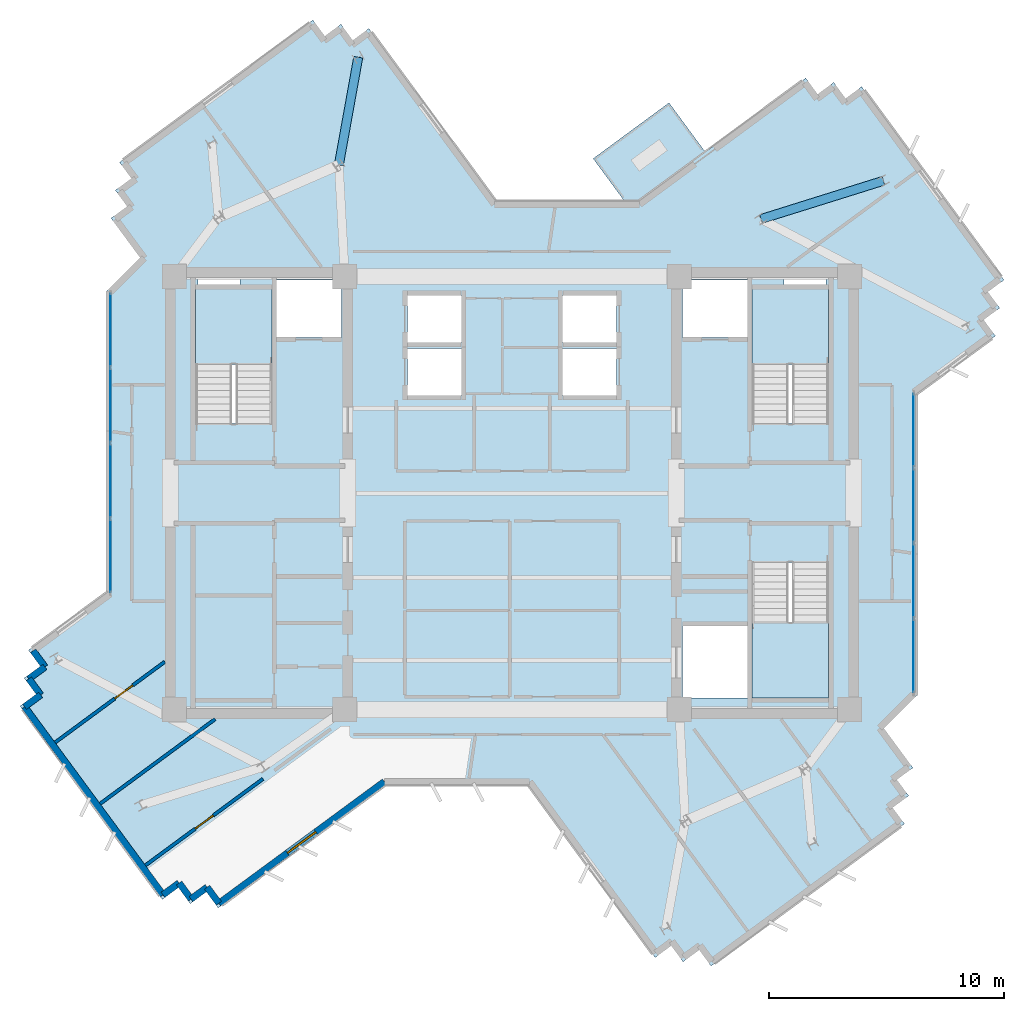
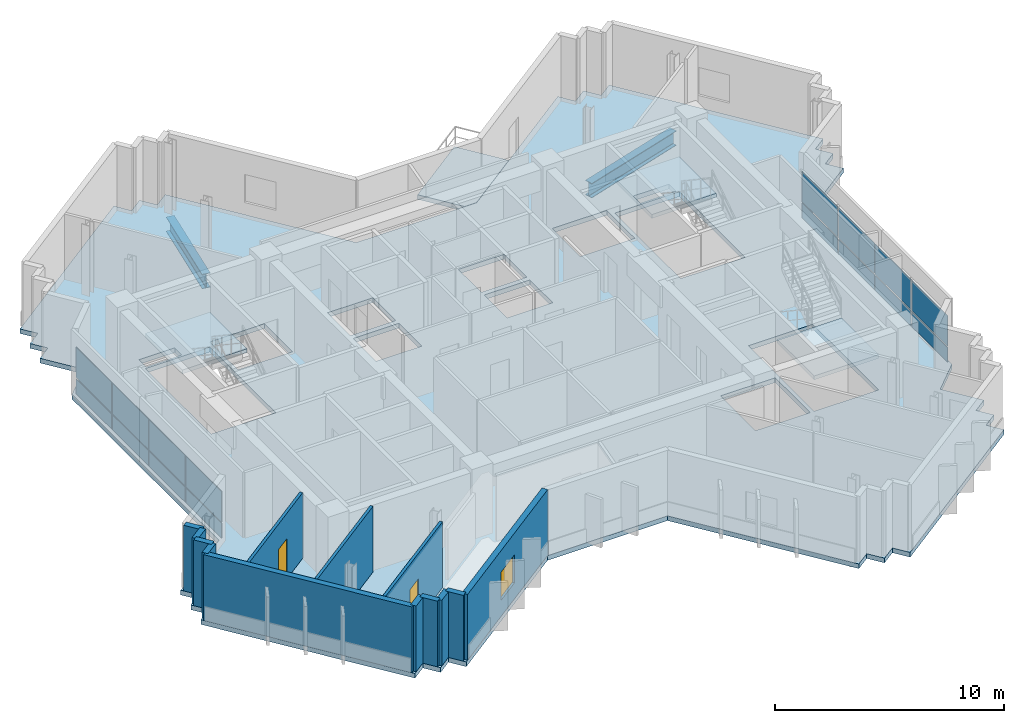
# One storey, part 5 of 13: 16 plates, 13 walls, 5 slabs, 2 beams, 2 doors, 1 window, 3 openings, 5 elements without a shape of their own.
"""IFC4 building model written with IfcOpenShell, lengths in metres."""

from ifc_helpers import new_model, si_unit, direction, frame, frame_2d, origin, origin_2d, place, context, subcontext, project, spatial, polyline, rectangle, i_section, outline, extrude, source, transform, mapped, material, layer, layer_set, material_profile, profile_set, type_object, element, fill, aggregate, save


model = new_model("IFC4")

# Units and contexts
model_context = context("Model", 3, precision=1e-05, world=origin(), true_north=direction((0.0, 1.0)))
body_context = subcontext(model_context, "Body", "Model", "MODEL_VIEW")
ifc_project = project(units=[si_unit("LENGTHUNIT", "METRE"), si_unit("AREAUNIT", "SQUARE_METRE"), si_unit("VOLUMEUNIT", "CUBIC_METRE"), si_unit("PLANEANGLEUNIT", "RADIAN"), si_unit("MASSUNIT", "GRAM", prefix="KILO")], contexts=[model_context])

# Site, building, storey
site_placement = place(None, origin())
site = spatial("IfcSite", under=ifc_project, at=site_placement, CompositionType="ELEMENT")
building_placement = place(site_placement, origin())
building = spatial("IfcBuilding", under=site, at=building_placement, Name="Zahravan Cultural Tower", CompositionType="ELEMENT")
storey_placement = place(building_placement, frame((0.0, 0.0, 272.85009765625)))
storey = spatial("IfcBuildingStorey", under=building, at=storey_placement, Name="L65", CompositionType="ELEMENT", Elevation=272.85009765625)

# Beams
ifc_material_1 = material(Name="Steel ASTM A992 Grade 50", Category="steel")
ifc_material_profile = material_profile(ifc_material_1, i_section(OverallWidth=0.382080078125, OverallDepth=0.779052734375, WebThickness=0.01806640625, FlangeThickness=0.030029296875, FilletRadius=0.01904296875, at=origin_2d()), Name="W30X191")
ifc_profile_set = profile_set([ifc_material_profile], Name="Steel ASTM A992 Grade 50")
beam_type = type_object("IfcBeamType", Name="BM-G-W30X191", PredefinedType="BEAM", material=ifc_profile_set)
shared_shape_1 = source(origin(), body_context, "Body", "SweptSolid", [
    extrude(i_section(OverallWidth=0.382080078125, OverallDepth=0.779052734375, WebThickness=0.01806640625, FlangeThickness=0.030029296875, FilletRadius=0.01904296875, at=origin_2d()), origin(), (0.0, 0.0, 1.0), 5.450927734375),
])
beam_1_placement = place(storey_placement, frame((46.577880859375, 38.640625, -0.6396484375), z_axis=(0.954416996605, 0.298476459025, 0.0), x_axis=(-0.298476459025, 0.954416996605, 0.0)))
element("IfcBeam", 1, at=beam_1_placement, inside=storey, type_object=beam_type, Name="L65 Beam BG-L65-13", PredefinedType="BEAM", context=body_context, shape_type="MappedRepresentation", body=[
    mapped(shared_shape_1, transform((0.0, 0.0, 0.0), x_axis=(1.0, 0.0, 0.0), y_axis=(0.0, 1.0, 0.0), z_axis=(0.0, 0.0, 1.0), scale=1.0)),
])
shared_shape_2 = source(origin(), body_context, "Body", "SweptSolid", [
    extrude(i_section(OverallWidth=0.382080078125, OverallDepth=0.779052734375, WebThickness=0.01806640625, FlangeThickness=0.030029296875, FilletRadius=0.01904296875, at=origin_2d()), origin(), (0.0, 0.0, 1.0), 4.65087890625),
])
beam_2_placement = place(storey_placement, frame((28.642578125, 40.937255859375, -0.6396484375), z_axis=(0.177425522697, 0.984134230629, 0.0), x_axis=(-0.984134230629, 0.177425522697, 0.0)))
element("IfcBeam", 2, at=beam_2_placement, inside=storey, type_object=beam_type, Name="L65 Beam BG-L65-14", PredefinedType="BEAM", context=body_context, shape_type="MappedRepresentation", body=[
    mapped(shared_shape_2, transform((0.0, 0.0, 0.0), x_axis=(1.0, 0.0, 0.0), y_axis=(0.0, 1.0, 0.0), z_axis=(0.0, 0.0, 1.0), scale=1.0)),
])

# Stair, slab
ifc_material_2 = material(Name="Concrete C45/55", Category="concrete")
stair_type = type_object("IfcStairType", Name="STR-DL-1550-375", PredefinedType="HALF_TURN_STAIR", material=ifc_material_2)
stair_1_placement = place(storey_placement, origin())
stair_1 = element("IfcStair", 3, at=stair_1_placement, inside=storey, type_object=stair_type, Name="L65 West Core North Exit Stair ST-W1", PredefinedType="HALF_TURN_STAIR")
ifc_layer_1 = layer(ifc_material_2, 0.199951171875)
ifc_layer_set_1 = layer_set([ifc_layer_1], Name="Concrete C45/55")
slab_type_1 = type_object("IfcSlabType", Name="SL-STAIR-LND200", PredefinedType="LANDING", material=ifc_layer_set_1)
slab_1_placement = place(storey_placement, frame((0.0, 0.0, 1.6748046875)))
slab_1 = element("IfcSlab", 4, at=slab_1_placement, type_object=slab_type_1, Name="ST-W1 landing 1", PredefinedType="LANDING", context=body_context, shape_type="SweptSolid", body=[
    extrude(outline(polyline([(25.800048828125, 32.469970703125), (25.800048828125, 35.699951171875), (22.550048828125, 35.699951171875), (22.550048828125, 32.469970703125), (25.800048828125, 32.469970703125)])), origin(), (0.0, 0.0, 1.0), 0.2001953125),
])
aggregate(stair_1, [slab_1])

stair_2_placement = place(storey_placement, origin())
stair_2 = element("IfcStair", 5, at=stair_2_placement, inside=storey, type_object=stair_type, Name="L65 East Core North Exit Stair ST-E1", PredefinedType="HALF_TURN_STAIR")
slab_2_placement = place(storey_placement, frame((0.0, 0.0, 1.6748046875)))
slab_2 = element("IfcSlab", 6, at=slab_2_placement, type_object=slab_type_1, Name="ST-E1 landing 1", PredefinedType="LANDING", context=body_context, shape_type="SweptSolid", body=[
    extrude(outline(polyline([(49.449951171875, 32.469970703125), (49.449951171875, 35.699951171875), (46.199951171875, 35.699951171875), (46.199951171875, 32.469970703125), (49.449951171875, 32.469970703125)])), origin(), (0.0, 0.0, 1.0), 0.2001953125),
])
aggregate(stair_2, [slab_2])

stair_3_placement = place(storey_placement, origin())
stair_3 = element("IfcStair", 7, at=stair_3_placement, inside=storey, type_object=stair_type, Name="L65 East Core South Exit Stair ST-E2", PredefinedType="HALF_TURN_STAIR")
slab_3_placement = place(storey_placement, frame((0.0, 0.0, 1.6748046875)))
slab_3 = element("IfcSlab", 8, at=slab_3_placement, type_object=slab_type_1, Name="ST-E2 landing 1", PredefinedType="LANDING", context=body_context, shape_type="SweptSolid", body=[
    extrude(outline(polyline([(46.199951171875, 21.530029296875), (46.199951171875, 18.300048828125), (49.449951171875, 18.300048828125), (49.449951171875, 21.530029296875), (46.199951171875, 21.530029296875)])), origin(), (0.0, 0.0, 1.0), 0.2001953125),
])
aggregate(stair_3, [slab_3])

# Slabs
ifc_material_3 = material(Name="Concrete C40/50", Category="concrete")
ifc_layer_2 = layer(ifc_material_3, 0.239990234375)
ifc_layer_set_2 = layer_set([ifc_layer_2], Name="Concrete C40/50")
slab_type_2 = type_object("IfcSlabType", Name="SL-TERR-240", PredefinedType="FLOOR", material=ifc_layer_set_2)
slab_4_placement = place(storey_placement, frame((0.0, 0.0, -0.239990234375)))
element("IfcSlab", 9, at=slab_4_placement, inside=storey, type_object=slab_type_2, Name="L65 Planted Sculpture Terrace NE", PredefinedType="FLOOR", context=body_context, shape_type="SweptSolid", body=[
    extrude(outline(polyline([(39.44921875, 41.209228515625), (40.77685546875, 39.405029296875), (41.37548828125, 39.405029296875), (44.208740234375, 41.489990234375), (42.670654296875, 43.580078125), (39.44921875, 41.209228515625)])), origin(), (0.0, 0.0, 1.0), 0.239990234375),
])
ifc_layer_3 = layer(ifc_material_3, 0.25)
ifc_layer_set_3 = layer_set([ifc_layer_3], Name="Concrete C40/50")
slab_type_3 = type_object("IfcSlabType", Name="SL-TYP-250", PredefinedType="FLOOR", material=ifc_layer_set_3)
slab_5_placement = place(storey_placement, frame((0.0, 0.0, -0.25)))
element("IfcSlab", 10, at=slab_5_placement, inside=storey, type_object=slab_type_3, Name="L65 Structural Floor Slab", PredefinedType="FLOOR", context=body_context, shape_type="SweptSolid", body=[
    extrude(outline(polyline([(41.377197265625, 39.39990234375), (35.3173828125, 39.39990234375), (29.918701171875, 46.736083984375), (29.234130859375, 46.232177734375), (28.73046875, 46.916748046875), (28.0458984375, 46.4130859375), (27.5419921875, 47.09765625), (19.326904296875, 41.052001953125), (19.83056640625, 40.3671875), (19.14599609375, 39.863525390625), (19.64990234375, 39.178955078125), (18.965087890625, 38.675048828125), (20.19873046875, 36.998779296875), (18.800048828125, 35.60009765625), (18.800048828125, 22.78515625), (15.45849609375, 20.326171875), (15.96240234375, 19.6416015625), (15.27783203125, 19.1376953125), (15.781494140625, 18.453125), (15.096923828125, 17.94921875), (21.142578125, 9.734130859375), (21.827392578125, 10.23779296875), (22.3310546875, 9.55322265625), (23.015625, 10.05712890625), (23.51953125, 9.37255859375), (30.622802734375, 14.60009765625), (36.6826171875, 14.60009765625), (42.081298828125, 7.263916015625), (42.765869140625, 7.767822265625), (43.26953125, 7.083251953125), (43.9541015625, 7.5869140625), (44.4580078125, 6.90234375), (52.673095703125, 12.947998046875), (52.16943359375, 13.6328125), (52.85400390625, 14.136474609375), (52.35009765625, 14.821044921875), (53.034912109375, 15.324951171875), (51.80126953125, 17.001220703125), (53.199951171875, 18.39990234375), (53.199951171875, 31.21484375), (56.54150390625, 33.673828125), (56.03759765625, 34.3583984375), (56.72216796875, 34.8623046875), (56.218505859375, 35.546875), (56.903076171875, 36.05078125), (50.857421875, 44.265869140625), (50.172607421875, 43.76220703125), (49.6689453125, 44.44677734375), (48.984375, 43.94287109375), (48.48046875, 44.62744140625), (41.377197265625, 39.39990234375)]), holes=[polyline([(22.550048828125, 29.949951171875), (22.550048828125, 35.699951171875), (25.800048828125, 35.699951171875), (25.800048828125, 29.949951171875), (22.550048828125, 29.949951171875)]), polyline([(46.199951171875, 29.949951171875), (46.199951171875, 35.699951171875), (49.449951171875, 35.699951171875), (49.449951171875, 29.949951171875), (46.199951171875, 29.949951171875)]), polyline([(46.199951171875, 18.300048828125), (46.199951171875, 24.050048828125), (49.449951171875, 24.050048828125), (49.449951171875, 18.300048828125), (46.199951171875, 18.300048828125)]), polyline([(26.0, 33.60009765625), (26.0, 36.050048828125), (28.75, 36.050048828125), (28.75, 33.60009765625), (26.0, 33.60009765625)]), polyline([(43.25, 33.60009765625), (43.25, 36.050048828125), (46.0, 36.050048828125), (46.0, 33.60009765625), (43.25, 33.60009765625)]), polyline([(43.25, 18.300048828125), (43.25, 21.35009765625), (46.0, 21.35009765625), (46.0, 18.300048828125), (43.25, 18.300048828125)]), polyline([(31.550048828125, 33.39990234375), (31.550048828125, 35.39990234375), (33.85009765625, 35.39990234375), (33.85009765625, 33.39990234375), (31.550048828125, 33.39990234375)]), polyline([(31.550048828125, 31.14990234375), (31.550048828125, 33.14990234375), (33.85009765625, 33.14990234375), (33.85009765625, 31.14990234375), (31.550048828125, 31.14990234375)]), polyline([(38.14990234375, 33.39990234375), (38.14990234375, 35.39990234375), (40.449951171875, 35.39990234375), (40.449951171875, 33.39990234375), (38.14990234375, 33.39990234375)]), polyline([(38.14990234375, 31.14990234375), (38.14990234375, 33.14990234375), (40.449951171875, 33.14990234375), (40.449951171875, 31.14990234375), (38.14990234375, 31.14990234375)]), polyline([(22.64990234375, 35.800048828125), (22.64990234375, 36.419921875), (24.449951171875, 36.419921875), (24.449951171875, 35.800048828125), (22.64990234375, 35.800048828125)]), polyline([(47.550048828125, 35.800048828125), (47.550048828125, 36.419921875), (49.35009765625, 36.419921875), (49.35009765625, 35.800048828125), (47.550048828125, 35.800048828125)])]), origin(), (0.0, 0.0, 1.0), 0.25),
])

# Curtain wall, plates
ifc_material_4 = material(Name="Anodised bronze-aluminium mullion", Category="aluminium")
ifc_layer_4 = layer(ifc_material_4, 0.199951171875)
ifc_layer_set_4 = layer_set([ifc_layer_4], Name="Anodised bronze-aluminium mullion")
curtain_wall_type_1 = type_object("IfcCurtainWallType", Name="CW-SYS-2", PredefinedType="USERDEFINED", material=ifc_layer_set_4)
curtain_wall_1_placement = place(storey_placement, origin())
curtain_wall_1 = element("IfcCurtainWall", 11, at=curtain_wall_1_placement, inside=storey, type_object=curtain_wall_type_1, Name="L65 Recessed Curtain Wall CW-2.1", ObjectType="RECESSED GLAZING", PredefinedType="USERDEFINED")
ifc_material_5 = material(Name="Low-E solar-control double glazing", Category="glass")
ifc_layer_5 = layer(ifc_material_5, 0.030029296875)
ifc_layer_set_5 = layer_set([ifc_layer_5], Name="Low-E solar-control double glazing")
plate_type_1 = type_object("IfcPlateType", Name="CWP-CW-2", PredefinedType="CURTAIN_PANEL", material=ifc_layer_set_5)
shared_shape_3 = source(origin(), body_context, "Body", "SweptSolid", [
    extrude(rectangle(XDim=3.094482421875, YDim=0.030029296875, at=origin_2d()), origin(), (0.0, 0.0, 1.0), 0.78759765625),
])
plate_1_placement = place(storey_placement, frame((53.06005859375, 29.66357421875, 0.074951171875), z_axis=(0.0, 0.0, 1.0), x_axis=(0.0, -1.0, 0.0)))
plate_1 = element("IfcPlate", 12, at=plate_1_placement, type_object=plate_type_1, Name="CW-2 panel 1.1", PredefinedType="CURTAIN_PANEL", context=body_context, shape_type="MappedRepresentation", body=[
    mapped(shared_shape_3, transform((0.0, 0.0, 0.0), x_axis=(1.0, 0.0, 0.0), y_axis=(0.0, 1.0, 0.0), z_axis=(0.0, 0.0, 1.0), scale=1.0)),
])
plate_2_placement = place(storey_placement, frame((53.06005859375, 20.080322265625, 0.074951171875), z_axis=(0.0, 0.0, 1.0), x_axis=(0.0, -1.0, 0.0)))
plate_2 = element("IfcPlate", 13, at=plate_2_placement, type_object=plate_type_1, Name="CW-2 panel 4.1", PredefinedType="CURTAIN_PANEL", context=body_context, shape_type="MappedRepresentation", body=[
    mapped(shared_shape_3, transform((0.0, 0.0, 0.0), x_axis=(1.0, 0.0, 0.0), y_axis=(0.0, 1.0, 0.0), z_axis=(0.0, 0.0, 1.0), scale=1.0)),
])
shared_shape_4 = source(origin(), body_context, "Body", "SweptSolid", [
    extrude(rectangle(XDim=3.094482421875, YDim=0.030029296875, at=origin_2d()), origin(), (0.0, 0.0, 1.0), 1.607421875),
])
plate_3_placement = place(storey_placement, frame((53.06005859375, 29.66357421875, 0.9375), z_axis=(0.0, 0.0, 1.0), x_axis=(0.0, -1.0, 0.0)))
plate_3 = element("IfcPlate", 14, at=plate_3_placement, type_object=plate_type_1, Name="CW-2 panel 1.2", PredefinedType="CURTAIN_PANEL", context=body_context, shape_type="MappedRepresentation", body=[
    mapped(shared_shape_4, transform((0.0, 0.0, 0.0), x_axis=(1.0, 0.0, 0.0), y_axis=(0.0, 1.0, 0.0), z_axis=(0.0, 0.0, 1.0), scale=1.0)),
])
plate_4_placement = place(storey_placement, frame((53.06005859375, 20.080322265625, 0.9375), z_axis=(0.0, 0.0, 1.0), x_axis=(0.0, -1.0, 0.0)))
plate_4 = element("IfcPlate", 15, at=plate_4_placement, type_object=plate_type_1, Name="CW-2 panel 4.2", PredefinedType="CURTAIN_PANEL", context=body_context, shape_type="MappedRepresentation", body=[
    mapped(shared_shape_4, transform((0.0, 0.0, 0.0), x_axis=(1.0, 0.0, 0.0), y_axis=(0.0, 1.0, 0.0), z_axis=(0.0, 0.0, 1.0), scale=1.0)),
])
shared_shape_5 = source(origin(), body_context, "Body", "SweptSolid", [
    extrude(rectangle(XDim=3.1318359375, YDim=0.030029296875, at=origin_2d()), origin(), (0.0, 0.0, 1.0), 0.78759765625),
])
plate_5_placement = place(storey_placement, frame((53.06005859375, 26.475341796875, 0.074951171875), z_axis=(0.0, 0.0, 1.0), x_axis=(0.0, -1.0, 0.0)))
plate_5 = element("IfcPlate", 16, at=plate_5_placement, type_object=plate_type_1, Name="CW-2 panel 2.1", PredefinedType="CURTAIN_PANEL", context=body_context, shape_type="MappedRepresentation", body=[
    mapped(shared_shape_5, transform((0.0, 0.0, 0.0), x_axis=(1.0, 0.0, 0.0), y_axis=(0.0, 1.0, 0.0), z_axis=(0.0, 0.0, 1.0), scale=1.0)),
])
plate_6_placement = place(storey_placement, frame((53.06005859375, 23.268310546875, 0.074951171875), z_axis=(0.0, 0.0, 1.0), x_axis=(0.0, -1.0, 0.0)))
plate_6 = element("IfcPlate", 17, at=plate_6_placement, type_object=plate_type_1, Name="CW-2 panel 3.1", PredefinedType="CURTAIN_PANEL", context=body_context, shape_type="MappedRepresentation", body=[
    mapped(shared_shape_5, transform((0.0, 0.0, 0.0), x_axis=(1.0, 0.0, 0.0), y_axis=(0.0, 1.0, 0.0), z_axis=(0.0, 0.0, 1.0), scale=1.0)),
])
shared_shape_6 = source(origin(), body_context, "Body", "SweptSolid", [
    extrude(rectangle(XDim=3.1318359375, YDim=0.030029296875, at=origin_2d()), origin(), (0.0, 0.0, 1.0), 1.607421875),
])
plate_7_placement = place(storey_placement, frame((53.06005859375, 26.475341796875, 0.9375), z_axis=(0.0, 0.0, 1.0), x_axis=(0.0, -1.0, 0.0)))
plate_7 = element("IfcPlate", 18, at=plate_7_placement, type_object=plate_type_1, Name="CW-2 panel 2.2", PredefinedType="CURTAIN_PANEL", context=body_context, shape_type="MappedRepresentation", body=[
    mapped(shared_shape_6, transform((0.0, 0.0, 0.0), x_axis=(1.0, 0.0, 0.0), y_axis=(0.0, 1.0, 0.0), z_axis=(0.0, 0.0, 1.0), scale=1.0)),
])
plate_8_placement = place(storey_placement, frame((53.06005859375, 23.268310546875, 0.9375), z_axis=(0.0, 0.0, 1.0), x_axis=(0.0, -1.0, 0.0)))
plate_8 = element("IfcPlate", 19, at=plate_8_placement, type_object=plate_type_1, Name="CW-2 panel 3.2", PredefinedType="CURTAIN_PANEL", context=body_context, shape_type="MappedRepresentation", body=[
    mapped(shared_shape_6, transform((0.0, 0.0, 0.0), x_axis=(1.0, 0.0, 0.0), y_axis=(0.0, 1.0, 0.0), z_axis=(0.0, 0.0, 1.0), scale=1.0)),
])
aggregate(curtain_wall_1, [plate_1, plate_3, plate_5, plate_7, plate_6, plate_8, plate_2, plate_4])

ifc_layer_6 = layer(ifc_material_4, 0.179931640625)
ifc_layer_set_6 = layer_set([ifc_layer_6], Name="Anodised bronze-aluminium mullion")
curtain_wall_type_2 = type_object("IfcCurtainWallType", Name="CW-SYS-3", PredefinedType="USERDEFINED", material=ifc_layer_set_6)
curtain_wall_2_placement = place(storey_placement, origin())
curtain_wall_2 = element("IfcCurtainWall", 20, at=curtain_wall_2_placement, inside=storey, type_object=curtain_wall_type_2, Name="L65 Recessed Curtain Wall CW-3.2", ObjectType="RECESSED GLAZING", PredefinedType="USERDEFINED")
ifc_layer_7 = layer(ifc_material_5, 0.028076171875)
ifc_layer_set_7 = layer_set([ifc_layer_7], Name="Low-E solar-control double glazing")
plate_type_2 = type_object("IfcPlateType", Name="CWP-CW-3", PredefinedType="CURTAIN_PANEL", material=ifc_layer_set_7)
shared_shape_7 = source(origin(), body_context, "Body", "SweptSolid", [
    extrude(rectangle(XDim=3.101806640625, YDim=0.028076171875, at=origin_2d()), origin(), (0.0, 0.0, 1.0), 0.794921875),
])
plate_9_placement = place(storey_placement, frame((18.93994140625, 24.335205078125, 0.06982421875), z_axis=(0.0, 0.0, 1.0), x_axis=(0.0, 1.0, 0.0)))
plate_9 = element("IfcPlate", 21, at=plate_9_placement, type_object=plate_type_2, Name="CW-3 panel 1.1", PredefinedType="CURTAIN_PANEL", context=body_context, shape_type="MappedRepresentation", body=[
    mapped(shared_shape_7, transform((0.0, 0.0, 0.0), x_axis=(1.0, 0.0, 0.0), y_axis=(0.0, 1.0, 0.0), z_axis=(0.0, 0.0, 1.0), scale=1.0)),
])
plate_10_placement = place(storey_placement, frame((18.93994140625, 33.921142578125, 0.06982421875), z_axis=(0.0, 0.0, 1.0), x_axis=(0.0, 1.0, 0.0)))
plate_10 = element("IfcPlate", 22, at=plate_10_placement, type_object=plate_type_2, Name="CW-3 panel 4.1", PredefinedType="CURTAIN_PANEL", context=body_context, shape_type="MappedRepresentation", body=[
    mapped(shared_shape_7, transform((0.0, 0.0, 0.0), x_axis=(1.0, 0.0, 0.0), y_axis=(0.0, 1.0, 0.0), z_axis=(0.0, 0.0, 1.0), scale=1.0)),
])
shared_shape_8 = source(origin(), body_context, "Body", "SweptSolid", [
    extrude(rectangle(XDim=3.101806640625, YDim=0.028076171875, at=origin_2d()), origin(), (0.0, 0.0, 1.0), 1.614990234375),
])
plate_11_placement = place(storey_placement, frame((18.93994140625, 24.335205078125, 0.93505859375), z_axis=(0.0, 0.0, 1.0), x_axis=(0.0, 1.0, 0.0)))
plate_11 = element("IfcPlate", 23, at=plate_11_placement, type_object=plate_type_2, Name="CW-3 panel 1.2", PredefinedType="CURTAIN_PANEL", context=body_context, shape_type="MappedRepresentation", body=[
    mapped(shared_shape_8, transform((0.0, 0.0, 0.0), x_axis=(1.0, 0.0, 0.0), y_axis=(0.0, 1.0, 0.0), z_axis=(0.0, 0.0, 1.0), scale=1.0)),
])
plate_12_placement = place(storey_placement, frame((18.93994140625, 33.921142578125, 0.93505859375), z_axis=(0.0, 0.0, 1.0), x_axis=(0.0, 1.0, 0.0)))
plate_12 = element("IfcPlate", 24, at=plate_12_placement, type_object=plate_type_2, Name="CW-3 panel 4.2", PredefinedType="CURTAIN_PANEL", context=body_context, shape_type="MappedRepresentation", body=[
    mapped(shared_shape_8, transform((0.0, 0.0, 0.0), x_axis=(1.0, 0.0, 0.0), y_axis=(0.0, 1.0, 0.0), z_axis=(0.0, 0.0, 1.0), scale=1.0)),
])
shared_shape_9 = source(origin(), body_context, "Body", "SweptSolid", [
    extrude(rectangle(XDim=3.136962890625, YDim=0.028076171875, at=origin_2d()), origin(), (0.0, 0.0, 1.0), 0.794921875),
])
plate_13_placement = place(storey_placement, frame((18.93994140625, 27.524658203125, 0.06982421875), z_axis=(0.0, 0.0, 1.0), x_axis=(0.0, 1.0, 0.0)))
plate_13 = element("IfcPlate", 25, at=plate_13_placement, type_object=plate_type_2, Name="CW-3 panel 2.1", PredefinedType="CURTAIN_PANEL", context=body_context, shape_type="MappedRepresentation", body=[
    mapped(shared_shape_9, transform((0.0, 0.0, 0.0), x_axis=(1.0, 0.0, 0.0), y_axis=(0.0, 1.0, 0.0), z_axis=(0.0, 0.0, 1.0), scale=1.0)),
])
plate_14_placement = place(storey_placement, frame((18.93994140625, 30.731689453125, 0.06982421875), z_axis=(0.0, 0.0, 1.0), x_axis=(0.0, 1.0, 0.0)))
plate_14 = element("IfcPlate", 26, at=plate_14_placement, type_object=plate_type_2, Name="CW-3 panel 3.1", PredefinedType="CURTAIN_PANEL", context=body_context, shape_type="MappedRepresentation", body=[
    mapped(shared_shape_9, transform((0.0, 0.0, 0.0), x_axis=(1.0, 0.0, 0.0), y_axis=(0.0, 1.0, 0.0), z_axis=(0.0, 0.0, 1.0), scale=1.0)),
])
shared_shape_10 = source(origin(), body_context, "Body", "SweptSolid", [
    extrude(rectangle(XDim=3.136962890625, YDim=0.028076171875, at=origin_2d()), origin(), (0.0, 0.0, 1.0), 1.614990234375),
])
plate_15_placement = place(storey_placement, frame((18.93994140625, 27.524658203125, 0.93505859375), z_axis=(0.0, 0.0, 1.0), x_axis=(0.0, 1.0, 0.0)))
plate_15 = element("IfcPlate", 27, at=plate_15_placement, type_object=plate_type_2, Name="CW-3 panel 2.2", PredefinedType="CURTAIN_PANEL", context=body_context, shape_type="MappedRepresentation", body=[
    mapped(shared_shape_10, transform((0.0, 0.0, 0.0), x_axis=(1.0, 0.0, 0.0), y_axis=(0.0, 1.0, 0.0), z_axis=(0.0, 0.0, 1.0), scale=1.0)),
])
plate_16_placement = place(storey_placement, frame((18.93994140625, 30.731689453125, 0.93505859375), z_axis=(0.0, 0.0, 1.0), x_axis=(0.0, 1.0, 0.0)))
plate_16 = element("IfcPlate", 28, at=plate_16_placement, type_object=plate_type_2, Name="CW-3 panel 3.2", PredefinedType="CURTAIN_PANEL", context=body_context, shape_type="MappedRepresentation", body=[
    mapped(shared_shape_10, transform((0.0, 0.0, 0.0), x_axis=(1.0, 0.0, 0.0), y_axis=(0.0, 1.0, 0.0), z_axis=(0.0, 0.0, 1.0), scale=1.0)),
])
aggregate(curtain_wall_2, [plate_9, plate_11, plate_13, plate_15, plate_14, plate_16, plate_10, plate_12])

# Wall, opening, window
ifc_material_6 = material(Name="Precast concrete C40/50", Category="concrete")
ifc_layer_8 = layer(ifc_material_6, 0.280029296875)
ifc_layer_set_8 = layer_set([ifc_layer_8], Name="Precast concrete C40/50")
wall_type_1 = type_object("IfcWallType", Name="EW-TC-280", PredefinedType="SOLIDWALL", material=ifc_layer_set_8)
wall_1_placement = place(storey_placement, frame((30.576904296875, 14.739990234375, 0.0), z_axis=(0.0, 0.0, 1.0), x_axis=(-0.805403112922, -0.592727446383, 0.0)))
wall_1 = element("IfcWall", 29, at=wall_1_placement, inside=storey, type_object=wall_type_1, Name="L65 Exterior Masonry Frame Wall 25", PredefinedType="SOLIDWALL", context=body_context, shape_type="SweptSolid", body=[
    extrude(rectangle(XDim=8.7255859375, YDim=0.280029296875, at=frame_2d((4.36279296875, 0.0))), origin(), (0.0, 0.0, 1.0), 3.5),
])
opening_1_placement = place(wall_1_placement, frame((3.613037109375, 0.0, 0.85009765625)))
opening_1 = element("IfcOpeningElement", 30, at=opening_1_placement, cuts=wall_1, Name="Opening WN-03", PredefinedType="OPENING", context=body_context, shape_type="SweptSolid", body=[
    extrude(rectangle(XDim=1.5, YDim=1.5, at=frame_2d((0.75, 0.75))), frame((0.0, 0.14990234375, 0.0), z_axis=(0.0, -1.0, 0.0), x_axis=(1.0, 0.0, 0.0)), (0.0, 0.0, 1.0), 0.300048828125),
])
window_type = type_object("IfcWindowType", Name="WN-REC-1500X1500", PartitioningType="SINGLE_PANEL", PredefinedType="WINDOW", material=ifc_material_5)
shared_shape_11 = source(origin(), body_context, "Body", "SweptSolid", [
    extrude(rectangle(XDim=1.5, YDim=1.5, at=frame_2d((0.75, 0.75))), frame((0.0, 0.030029296875, 0.0), z_axis=(0.0, -1.0, 0.0), x_axis=(1.0, 0.0, 0.0)), (0.0, 0.0, 1.0), 0.06005859375),
])
window_placement = place(opening_1_placement, origin())
window = element("IfcWindow", 31, at=window_placement, inside=storey, type_object=window_type, Name="L65 Recessed Solar Window 04", OverallHeight=1.5, OverallWidth=1.5, PartitioningType="SINGLE_PANEL", PredefinedType="WINDOW", context=body_context, shape_type="MappedRepresentation", body=[
    mapped(shared_shape_11, transform((0.0, 0.0, 0.0), x_axis=(1.0, 0.0, 0.0), y_axis=(0.0, 1.0, 0.0), z_axis=(0.0, 0.0, 1.0), scale=1.0)),
])
fill(opening_1, window)

# Wall, opening, door
ifc_material_7 = material(Name="Gypsum plasterboard partition")
ifc_layer_9 = layer(ifc_material_7, 0.139892578125)
ifc_layer_set_9 = layer_set([ifc_layer_9], Name="Gypsum plasterboard partition")
wall_type_2 = type_object("IfcWallType", Name="W-PART-140", PredefinedType="PARTITIONING", material=ifc_layer_set_9)
wall_2_placement = place(storey_placement, frame((16.589111328125, 16.402587890625, 0.0), z_axis=(0.0, 0.0, 1.0), x_axis=(0.80540492624, 0.592724982423, 0.0)))
wall_2 = element("IfcWall", 32, at=wall_2_placement, inside=storey, type_object=wall_type_2, Name="L65 Interior Wall 071", PredefinedType="PARTITIONING", context=body_context, shape_type="SweptSolid", body=[
    extrude(rectangle(XDim=5.781005859375, YDim=0.139892578125, at=frame_2d((2.890625, 0.0))), origin(), (0.0, 0.0, 1.0), 3.5),
])
opening_2_placement = place(wall_2_placement, frame((3.14013671875, 0.0, 0.0)))
opening_2 = element("IfcOpeningElement", 33, at=opening_2_placement, cuts=wall_2, Name="Opening D-L65-33", PredefinedType="OPENING", context=body_context, shape_type="SweptSolid", body=[
    extrude(rectangle(XDim=0.949951171875, YDim=2.14990234375, at=frame_2d((0.47509765625, 1.074951171875))), frame((0.0, 0.079833984375, 0.0), z_axis=(0.0, -1.0, 0.0), x_axis=(1.0, 0.0, 0.0)), (0.0, 0.0, 1.0), 0.159912109375),
])
door_type = type_object("IfcDoorType", Name="DR-ROOM-950", OperationType="NOTDEFINED", PredefinedType="DOOR", material=ifc_material_4)
shared_shape_12 = source(origin(), body_context, "Body", "SweptSolid", [
    extrude(rectangle(XDim=0.949951171875, YDim=2.14990234375, at=frame_2d((0.47509765625, 1.074951171875))), frame((0.0, 0.02490234375, 0.0), z_axis=(0.0, -1.0, 0.0), x_axis=(1.0, 0.0, 0.0)), (0.0, 0.0, 1.0), 0.050048828125),
])
door_1_placement = place(opening_2_placement, origin())
door_1 = element("IfcDoor", 34, at=door_1_placement, inside=storey, type_object=door_type, Name="L65 Door D-L65-33", OperationType="SINGLE_SWING_RIGHT", OverallHeight=2.14990234375, OverallWidth=0.949951171875, PredefinedType="DOOR", context=body_context, shape_type="MappedRepresentation", body=[
    mapped(shared_shape_12, transform((0.0, 0.0, 0.0), x_axis=(1.0, 0.0, 0.0), y_axis=(0.0, 1.0, 0.0), z_axis=(0.0, 0.0, 1.0), scale=1.0)),
])
fill(opening_2, door_1)

wall_3_placement = place(storey_placement, frame((25.41796875, 14.8544921875, 0.0), z_axis=(0.0, 0.0, 1.0), x_axis=(-0.805402487917, -0.592728295645, 0.0)))
wall_3 = element("IfcWall", 35, at=wall_3_placement, inside=storey, type_object=wall_type_2, Name="L65 Interior Wall 076", PredefinedType="PARTITIONING", context=body_context, shape_type="SweptSolid", body=[
    extrude(rectangle(XDim=6.193115234375, YDim=0.139892578125, at=frame_2d((3.0966796875, 0.0))), origin(), (0.0, 0.0, 1.0), 3.5),
])
opening_3_placement = place(wall_3_placement, frame((2.62158203125, 0.0, 0.0)))
opening_3 = element("IfcOpeningElement", 36, at=opening_3_placement, cuts=wall_3, Name="Opening D-L65-34", PredefinedType="OPENING", context=body_context, shape_type="SweptSolid", body=[
    extrude(rectangle(XDim=0.949951171875, YDim=2.14990234375, at=frame_2d((0.47509765625, 1.074951171875))), frame((0.0, 0.079833984375, 0.0), z_axis=(0.0, -1.0, 0.0), x_axis=(1.0, 0.0, 0.0)), (0.0, 0.0, 1.0), 0.159912109375),
])
door_2_placement = place(opening_3_placement, origin())
door_2 = element("IfcDoor", 37, at=door_2_placement, inside=storey, type_object=door_type, Name="L65 Door D-L65-34", OperationType="SINGLE_SWING_LEFT", OverallHeight=2.14990234375, OverallWidth=0.949951171875, PredefinedType="DOOR", context=body_context, shape_type="MappedRepresentation", body=[
    mapped(shared_shape_12, transform((0.0, 0.0, 0.0), x_axis=(1.0, 0.0, 0.0), y_axis=(0.0, 1.0, 0.0), z_axis=(0.0, 0.0, 1.0), scale=1.0)),
])
fill(opening_3, door_2)

# Walls
shared_shape_13 = source(origin(), body_context, "Body", "SweptSolid", [
    extrude(rectangle(XDim=0.85009765625, YDim=0.280029296875, at=frame_2d((0.425048828125, 0.0))), origin(), (0.0, 0.0, 1.0), 3.5),
])
for number, where, z_axis, x_axis, name in (
    (38, (23.54931640625, 9.568115234375, 0.0), (0.0, 0.0, 1.0), (-0.592807079659, 0.80534450163, 0.0), "L65 Exterior Masonry Frame Wall 26"),
    (39, (21.857177734375, 10.43359375, 0.0), (0.0, 0.0, 1.0), (-0.80534450163, -0.592807079659, 0.0), "L65 Exterior Masonry Frame Wall 29"),
    (40, (15.292724609375, 17.91943359375, 0.0), (0.0, 0.0, 1.0), (0.80534450163, 0.592807079659, 0.0), "L65 Exterior Masonry Frame Wall 31"),
    (41, (15.977294921875, 18.42333984375, 0.0), (0.0, 0.0, 1.0), (-0.592807079659, 0.80534450163, 0.0), "L65 Exterior Masonry Frame Wall 32"),
    (42, (16.158203125, 19.61181640625, 0.0), (0.0, 0.0, 1.0), (-0.592807079659, 0.80534450163, 0.0), "L65 Exterior Masonry Frame Wall 34"),
):
    element("IfcWall", number, at=place(storey_placement, frame(where, z_axis=z_axis, x_axis=x_axis)), inside=storey, type_object=wall_type_1, Name=name, PredefinedType="SOLIDWALL", context=body_context, shape_type="MappedRepresentation", body=[
        mapped(shared_shape_13, transform((0.0, 0.0, 0.0), x_axis=(1.0, 0.0, 0.0), y_axis=(0.0, 1.0, 0.0), z_axis=(0.0, 0.0, 1.0), scale=1.0)),
    ])
shared_shape_14 = source(origin(), body_context, "Body", "SweptSolid", [
    extrude(rectangle(XDim=0.849853515625, YDim=0.280029296875, at=frame_2d((0.4248046875, 0.0))), origin(), (0.0, 0.0, 1.0), 3.5),
])
for number, where, z_axis, x_axis, name in (
    (43, (23.04541015625, 10.252685546875, 0.0), (0.0, 0.0, 1.0), (-0.805481622783, -0.592620751712, 0.0), "L65 Exterior Masonry Frame Wall 27"),
    (44, (22.36083984375, 9.7490234375, 0.0), (0.0, 0.0, 1.0), (-0.592620751712, 0.805481622783, 0.0), "L65 Exterior Masonry Frame Wall 28"),
):
    element("IfcWall", number, at=place(storey_placement, frame(where, z_axis=z_axis, x_axis=x_axis)), inside=storey, type_object=wall_type_1, Name=name, PredefinedType="SOLIDWALL", context=body_context, shape_type="MappedRepresentation", body=[
        mapped(shared_shape_14, transform((0.0, 0.0, 0.0), x_axis=(1.0, 0.0, 0.0), y_axis=(0.0, 1.0, 0.0), z_axis=(0.0, 0.0, 1.0), scale=1.0)),
    ])
shared_shape_15 = source(origin(), body_context, "Body", "SweptSolid", [
    extrude(rectangle(XDim=9.920166015625, YDim=0.280029296875, at=frame_2d((4.9599609375, 0.0))), origin(), (0.0, 0.0, 1.0), 3.5),
])
wall_4_placement = place(storey_placement, frame((21.172607421875, 9.9296875, 0.0), z_axis=(0.0, 0.0, 1.0), x_axis=(-0.592722097771, 0.805407049146, 0.0)))
element("IfcWall", 45, at=wall_4_placement, inside=storey, type_object=wall_type_1, Name="L65 Exterior Masonry Frame Wall 30", PredefinedType="SOLIDWALL", context=body_context, shape_type="MappedRepresentation", body=[
    mapped(shared_shape_15, transform((0.0, 0.0, 0.0), x_axis=(1.0, 0.0, 0.0), y_axis=(0.0, 1.0, 0.0), z_axis=(0.0, 0.0, 1.0), scale=1.0)),
])
shared_shape_16 = source(origin(), body_context, "Body", "SweptSolid", [
    extrude(rectangle(XDim=0.850341796875, YDim=0.280029296875, at=frame_2d((0.42529296875, 0.0))), origin(), (0.0, 0.0, 1.0), 3.5),
])
wall_5_placement = place(storey_placement, frame((15.473388671875, 19.10791015625, 0.0), z_axis=(0.0, 0.0, 1.0), x_axis=(0.805445398986, 0.592669983425, 0.0)))
element("IfcWall", 46, at=wall_5_placement, inside=storey, type_object=wall_type_1, Name="L65 Exterior Masonry Frame Wall 33", PredefinedType="SOLIDWALL", context=body_context, shape_type="MappedRepresentation", body=[
    mapped(shared_shape_16, transform((0.0, 0.0, 0.0), x_axis=(1.0, 0.0, 0.0), y_axis=(0.0, 1.0, 0.0), z_axis=(0.0, 0.0, 1.0), scale=1.0)),
])
shared_shape_17 = source(origin(), body_context, "Body", "SweptSolid", [
    extrude(rectangle(XDim=6.063232421875, YDim=0.139892578125, at=frame_2d((3.03173828125, 0.0))), origin(), (0.0, 0.0, 1.0), 3.5),
])
wall_6_placement = place(storey_placement, frame((23.386962890625, 17.39501953125, 0.0), z_axis=(0.0, 0.0, 1.0), x_axis=(-0.805422045282, -0.59270172007, 0.0)))
element("IfcWall", 47, at=wall_6_placement, inside=storey, type_object=wall_type_2, Name="L65 Interior Wall 070", PredefinedType="PARTITIONING", context=body_context, shape_type="MappedRepresentation", body=[
    mapped(shared_shape_17, transform((0.0, 0.0, 0.0), x_axis=(1.0, 0.0, 0.0), y_axis=(0.0, 1.0, 0.0), z_axis=(0.0, 0.0, 1.0), scale=1.0)),
])

save(model, "model.ifc")
